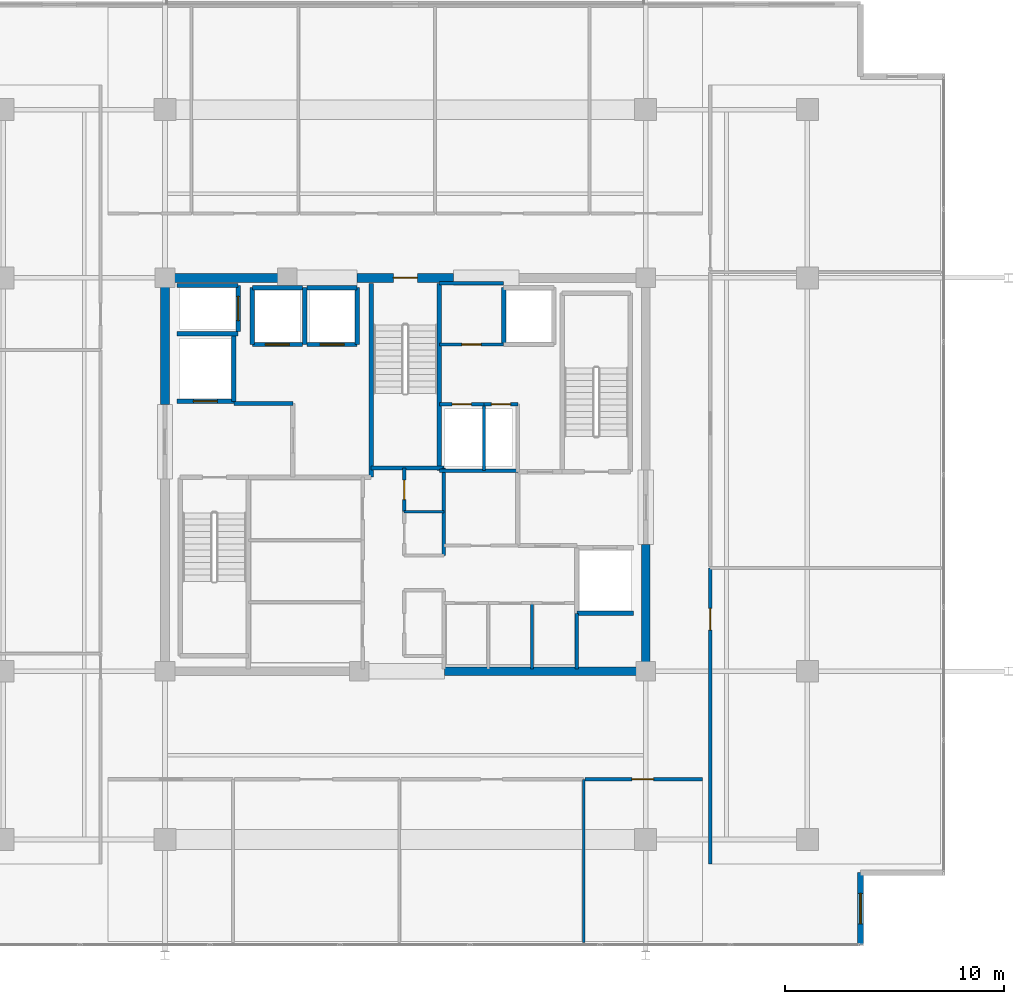
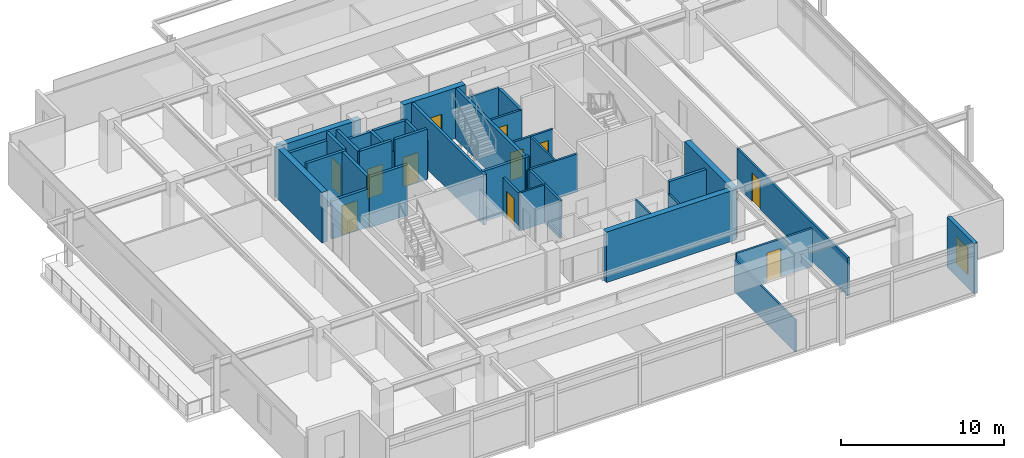
# One storey, part 14 of 20: 38 walls, 11 doors, 1 window, 12 openings.
"""IFC4 building model written with IfcOpenShell, lengths in metres."""

from ifc_helpers import new_model, si_unit, direction, frame, frame_2d, origin, place, context, subcontext, project, spatial, rectangle, extrude, material, layer, layer_set, type_object, element, fill, save


model = new_model("IFC4")

# Units and contexts
model_context = context("Model", 3, precision=1e-05, world=origin(), true_north=direction((0.0, 1.0)))
body_context = subcontext(model_context, "Body", "Model", "MODEL_VIEW")
ifc_project = project(units=[si_unit("LENGTHUNIT", "METRE"), si_unit("AREAUNIT", "SQUARE_METRE"), si_unit("VOLUMEUNIT", "CUBIC_METRE"), si_unit("PLANEANGLEUNIT", "RADIAN"), si_unit("MASSUNIT", "GRAM", prefix="KILO")], contexts=[model_context])

# Site, building, storey
site_placement = place(None, origin())
site = spatial("IfcSite", under=ifc_project, at=site_placement, CompositionType="ELEMENT")
building_placement = place(site_placement, origin())
building = spatial("IfcBuilding", under=site, at=building_placement, Name="Kovane Verandah Tower", CompositionType="ELEMENT")
storey_placement = place(building_placement, frame((0.0, 0.0, 330.800048828125)))
storey = spatial("IfcBuildingStorey", under=building, at=storey_placement, Name="L77", CompositionType="ELEMENT", Elevation=330.800048828125)

# Wall
ifc_material_1 = material(Name="Fire-Rated Gypsum Stud Partition", Category="gypsum")
ifc_layer_1 = layer(ifc_material_1, 0.14990234375)
ifc_layer_set_1 = layer_set([ifc_layer_1], Name="Fire-Rated Gypsum Stud Partition")
wall_type_1 = type_object("IfcWallType", Name="WL-COR-150", PredefinedType="PARTITIONING", material=ifc_layer_set_1)
wall_1_placement = place(storey_placement, frame((41.760009765625, 23.800048828125, 0.0), z_axis=(0.0, 0.0, 1.0), x_axis=(0.0, 1.0, 0.0)))
element("IfcWall", 1, at=wall_1_placement, inside=storey, type_object=wall_type_1, Name="L77 Central Core Strip Upper East Wall", PredefinedType="PARTITIONING", context=body_context, shape_type="SweptSolid", body=[
    extrude(rectangle(XDim=4.0, YDim=0.14990234375, at=frame_2d((2.0, 0.0))), origin(), (0.0, 0.0, 1.0), 2.849853515625),
])

# Wall, opening, door
wall_2_placement = place(storey_placement, frame((39.949951171875, 25.800048828125, 0.0), z_axis=(0.0, 0.0, 1.0), x_axis=(0.0, 1.0, 0.0)))
wall_2 = element("IfcWall", 2, at=wall_2_placement, inside=storey, type_object=wall_type_1, Name="L77 Accessible Unisex Toilet Partition", PredefinedType="PARTITIONING", context=body_context, shape_type="SweptSolid", body=[
    extrude(rectangle(XDim=2.0, YDim=0.14990234375, at=frame_2d((1.0, 0.0))), origin(), (0.0, 0.0, 1.0), 2.849853515625),
])
opening_1_placement = place(wall_2_placement, frame((0.550048828125, 0.0, 0.0)))
opening_1 = element("IfcOpeningElement", 3, at=opening_1_placement, cuts=wall_2, Name="Opening DR-L77-033", PredefinedType="OPENING", context=body_context, shape_type="SweptSolid", body=[
    extrude(rectangle(XDim=0.89990234375, YDim=2.10009765625, at=frame_2d((0.449951171875, 1.050048828125))), frame((0.0, 0.074951171875, 0.0), z_axis=(0.0, -1.0, 0.0), x_axis=(1.0, 0.0, 0.0)), (0.0, 0.0, 1.0), 0.14990234375),
])
ifc_material_2 = material(Name="Moisture-Resistant Laminate Washroom Door", Category="wood")
door_type_1 = type_object("IfcDoorType", Name="DR-WC-900", OperationType="SINGLE_SWING_LEFT", PredefinedType="DOOR", material=ifc_material_2)
door_1_placement = place(opening_1_placement, origin())
door_1 = element("IfcDoor", 4, at=door_1_placement, inside=storey, type_object=door_type_1, Name="L77 Accessible Unisex Toilet Door", OperationType="SINGLE_SWING_RIGHT", OverallHeight=2.10009765625, OverallWidth=0.89990234375, PredefinedType="DOOR", context=body_context, shape_type="SweptSolid", body=[
    extrude(rectangle(XDim=0.89990234375, YDim=2.10009765625, at=frame_2d((0.449951171875, 1.050048828125))), frame((0.0, 0.02490234375, 0.0), z_axis=(0.0, -1.0, 0.0), x_axis=(1.0, 0.0, 0.0)), (0.0, 0.0, 1.0), 0.050048828125),
])
fill(opening_1, door_1)

# Walls
wall_3_placement = place(storey_placement, frame((41.56005859375, 27.679931640625, 0.0), z_axis=(0.0, 0.0, 1.0), x_axis=(1.0, 0.0, 0.0)))
element("IfcWall", 5, at=wall_3_placement, inside=storey, type_object=wall_type_1, Name="L77 East Core Service Riser South Wall", PredefinedType="PARTITIONING", context=body_context, shape_type="SweptSolid", body=[
    extrude(rectangle(XDim=3.58984375, YDim=0.14990234375, at=frame_2d((1.794921875, 0.0))), origin(), (0.0, 0.0, 1.0), 2.849853515625),
])
wall_4_placement = place(storey_placement, frame((47.85009765625, 18.60009765625, 0.0), z_axis=(0.0, 0.0, 1.0), x_axis=(0.0, 1.0, 0.0)))
element("IfcWall", 6, at=wall_4_placement, inside=storey, type_object=wall_type_1, Name="L77 East Core Support East Wall", PredefinedType="PARTITIONING", context=body_context, shape_type="SweptSolid", body=[
    extrude(rectangle(XDim=2.539794921875, YDim=0.14990234375, at=frame_2d((1.27001953125, 0.0))), origin(), (0.0, 0.0, 1.0), 2.849853515625),
])

# Wall, opening, door
wall_5_placement = place(storey_placement, frame((41.56005859375, 30.719970703125, 0.0), z_axis=(0.0, 0.0, 1.0), x_axis=(1.0, 0.0, 0.0)))
wall_5 = element("IfcWall", 7, at=wall_5_placement, inside=storey, type_object=wall_type_1, Name="L77 Electrical Sub-Main Riser Room Partition", PredefinedType="PARTITIONING", context=body_context, shape_type="SweptSolid", body=[
    extrude(rectangle(XDim=2.0400390625, YDim=0.14990234375, at=frame_2d((1.02001953125, 0.0))), origin(), (0.0, 0.0, 1.0), 2.849853515625),
])
opening_2_placement = place(wall_5_placement, frame((0.580078125, 0.0, 0.0)))
opening_2 = element("IfcOpeningElement", 8, at=opening_2_placement, cuts=wall_5, Name="Opening DR-L77-022", PredefinedType="OPENING", context=body_context, shape_type="SweptSolid", body=[
    extrude(rectangle(XDim=0.8798828125, YDim=2.10009765625, at=frame_2d((0.43994140625, 1.050048828125))), frame((0.0, 0.074951171875, 0.0), z_axis=(0.0, -1.0, 0.0), x_axis=(1.0, 0.0, 0.0)), (0.0, 0.0, 1.0), 0.14990234375),
])
ifc_material_3 = material(Name="Fire-Rated Steel Riser Access Door", Category="steel")
door_type_2 = type_object("IfcDoorType", Name="DR-RISER-880", OperationType="SINGLE_SWING_LEFT", PredefinedType="DOOR", material=ifc_material_3)
door_2_placement = place(opening_2_placement, origin())
door_2 = element("IfcDoor", 9, at=door_2_placement, inside=storey, type_object=door_type_2, Name="L77 Electrical Sub-Main Riser Room Door", OperationType="SINGLE_SWING_RIGHT", OverallHeight=2.10009765625, OverallWidth=0.8798828125, PredefinedType="DOOR", context=body_context, shape_type="SweptSolid", body=[
    extrude(rectangle(XDim=0.8798828125, YDim=2.10009765625, at=frame_2d((0.43994140625, 1.050048828125))), frame((0.0, 0.02490234375, 0.0), z_axis=(0.0, -1.0, 0.0), x_axis=(1.0, 0.0, 0.0)), (0.0, 0.0, 1.0), 0.050048828125),
])
fill(opening_2, door_2)

wall_6_placement = place(storey_placement, frame((43.60009765625, 30.719970703125, 0.0), z_axis=(0.0, 0.0, 1.0), x_axis=(1.0, 0.0, 0.0)))
wall_6 = element("IfcWall", 10, at=wall_6_placement, inside=storey, type_object=wall_type_1, Name="L77 Sprinkler Wet Riser Room Partition", PredefinedType="PARTITIONING", context=body_context, shape_type="SweptSolid", body=[
    extrude(rectangle(XDim=1.5498046875, YDim=0.14990234375, at=frame_2d((0.77490234375, 0.0))), origin(), (0.0, 0.0, 1.0), 2.849853515625),
])
opening_3_placement = place(wall_6_placement, frame((0.3349609375, 0.0, 0.0)))
opening_3 = element("IfcOpeningElement", 11, at=opening_3_placement, cuts=wall_6, Name="Opening DR-L77-023", PredefinedType="OPENING", context=body_context, shape_type="SweptSolid", body=[
    extrude(rectangle(XDim=0.8798828125, YDim=2.10009765625, at=frame_2d((0.43994140625, 1.050048828125))), frame((0.0, 0.074951171875, 0.0), z_axis=(0.0, -1.0, 0.0), x_axis=(1.0, 0.0, 0.0)), (0.0, 0.0, 1.0), 0.14990234375),
])
door_3_placement = place(opening_3_placement, origin())
door_3 = element("IfcDoor", 12, at=door_3_placement, inside=storey, type_object=door_type_2, Name="L77 Sprinkler Wet Riser Room Door", OperationType="SINGLE_SWING_LEFT", OverallHeight=2.10009765625, OverallWidth=0.8798828125, PredefinedType="DOOR", context=body_context, shape_type="SweptSolid", body=[
    extrude(rectangle(XDim=0.8798828125, YDim=2.10009765625, at=frame_2d((0.43994140625, 1.050048828125))), frame((0.0, 0.02490234375, 0.0), z_axis=(0.0, -1.0, 0.0), x_axis=(1.0, 0.0, 0.0)), (0.0, 0.0, 1.0), 0.050048828125),
])
fill(opening_3, door_3)

# Wall
wall_7_placement = place(storey_placement, frame((41.56005859375, 36.25, 0.0), z_axis=(0.0, 0.0, 1.0), x_axis=(1.0, 0.0, 0.0)))
element("IfcWall", 13, at=wall_7_placement, inside=storey, type_object=wall_type_1, Name="L77 Sky Telecom Riser North Wall", PredefinedType="PARTITIONING", context=body_context, shape_type="SweptSolid", body=[
    extrude(rectangle(XDim=2.93994140625, YDim=0.14990234375, at=frame_2d((1.469970703125, 0.0))), origin(), (0.0, 0.0, 1.0), 2.849853515625),
])

# Wall, opening, door
wall_8_placement = place(storey_placement, frame((41.56005859375, 33.449951171875, 0.0), z_axis=(0.0, 0.0, 1.0), x_axis=(1.0, 0.0, 0.0)))
wall_8 = element("IfcWall", 14, at=wall_8_placement, inside=storey, type_object=wall_type_1, Name="L77 Sky Telecom Riser Room Partition", PredefinedType="PARTITIONING", context=body_context, shape_type="SweptSolid", body=[
    extrude(rectangle(XDim=2.93994140625, YDim=0.14990234375, at=frame_2d((1.469970703125, 0.0))), origin(), (0.0, 0.0, 1.0), 2.849853515625),
])
opening_4_placement = place(wall_8_placement, frame((1.030029296875, 0.0, 0.0)))
opening_4 = element("IfcOpeningElement", 15, at=opening_4_placement, cuts=wall_8, Name="Opening DR-L77-021", PredefinedType="OPENING", context=body_context, shape_type="SweptSolid", body=[
    extrude(rectangle(XDim=0.8798828125, YDim=2.10009765625, at=frame_2d((0.43994140625, 1.050048828125))), frame((0.0, 0.074951171875, 0.0), z_axis=(0.0, -1.0, 0.0), x_axis=(1.0, 0.0, 0.0)), (0.0, 0.0, 1.0), 0.14990234375),
])
door_4_placement = place(opening_4_placement, origin())
door_4 = element("IfcDoor", 16, at=door_4_placement, inside=storey, type_object=door_type_2, Name="L77 Sky Telecom Riser Room Door", OperationType="SINGLE_SWING_RIGHT", OverallHeight=2.10009765625, OverallWidth=0.8798828125, PredefinedType="DOOR", context=body_context, shape_type="SweptSolid", body=[
    extrude(rectangle(XDim=0.8798828125, YDim=2.10009765625, at=frame_2d((0.43994140625, 1.050048828125))), frame((0.0, 0.02490234375, 0.0), z_axis=(0.0, -1.0, 0.0), x_axis=(1.0, 0.0, 0.0)), (0.0, 0.0, 1.0), 0.050048828125),
])
fill(opening_4, door_4)

wall_9_placement = place(storey_placement, frame((48.22998046875, 13.550048828125, 0.0), z_axis=(0.0, 0.0, 1.0), x_axis=(1.0, 0.0, 0.0)))
wall_9 = element("IfcWall", 17, at=wall_9_placement, inside=storey, type_object=wall_type_1, Name="L77 Focus Studio S4 Corridor Partition", PredefinedType="PARTITIONING", context=body_context, shape_type="SweptSolid", body=[
    extrude(rectangle(XDim=5.3701171875, YDim=0.14990234375, at=frame_2d((2.68505859375, 0.0))), origin(), (0.0, 0.0, 1.0), 2.849853515625),
])
opening_5_placement = place(wall_9_placement, frame((2.135009765625, 0.0, 0.0)))
opening_5 = element("IfcOpeningElement", 18, at=opening_5_placement, cuts=wall_9, Name="Opening DR-L77-032", PredefinedType="OPENING", context=body_context, shape_type="SweptSolid", body=[
    extrude(rectangle(XDim=1.0, YDim=2.14990234375, at=frame_2d((0.5, 1.074951171875))), frame((0.0, 0.074951171875, 0.0), z_axis=(0.0, -1.0, 0.0), x_axis=(1.0, 0.0, 0.0)), (0.0, 0.0, 1.0), 0.14990234375),
])
ifc_material_4 = material(Name="FSC Spotted-Gum Timber Fire-Rated Office Door", Category="wood")
door_type_3 = type_object("IfcDoorType", Name="DR-OFF-1000", OperationType="SINGLE_SWING_LEFT", PredefinedType="DOOR", material=ifc_material_4)
door_5_placement = place(opening_5_placement, origin())
door_5 = element("IfcDoor", 19, at=door_5_placement, inside=storey, type_object=door_type_3, Name="L77 Focus Studio S4 Entrance Door", OperationType="SINGLE_SWING_LEFT", OverallHeight=2.14990234375, OverallWidth=1.0, PredefinedType="DOOR", context=body_context, shape_type="SweptSolid", body=[
    extrude(rectangle(XDim=1.0, YDim=2.14990234375, at=frame_2d((0.5, 1.074951171875))), frame((0.0, 0.02490234375, 0.0), z_axis=(0.0, -1.0, 0.0), x_axis=(1.0, 0.0, 0.0)), (0.0, 0.0, 1.0), 0.050048828125),
])
fill(opening_5, door_5)

wall_10_placement = place(storey_placement, frame((53.949951171875, 9.681884765625, 0.0), z_axis=(0.0, 0.0, 1.0), x_axis=(0.0, 1.0, 0.0)))
wall_10 = element("IfcWall", 20, at=wall_10_placement, inside=storey, type_object=wall_type_1, Name="L77 Open Plan Office E1 Corridor Partition", PredefinedType="PARTITIONING", context=body_context, shape_type="SweptSolid", body=[
    extrude(rectangle(XDim=13.541748046875, YDim=0.14990234375, at=frame_2d((6.77099609375, 0.0))), origin(), (0.0, 0.0, 1.0), 2.849853515625),
])
opening_6_placement = place(wall_10_placement, frame((10.695068359375, 0.0, 0.0)))
opening_6 = element("IfcOpeningElement", 21, at=opening_6_placement, cuts=wall_10, Name="Opening DR-L77-011", PredefinedType="OPENING", context=body_context, shape_type="SweptSolid", body=[
    extrude(rectangle(XDim=1.0, YDim=2.14990234375, at=frame_2d((0.5, 1.074951171875))), frame((0.0, 0.074951171875, 0.0), z_axis=(0.0, -1.0, 0.0), x_axis=(1.0, 0.0, 0.0)), (0.0, 0.0, 1.0), 0.14990234375),
])
door_6_placement = place(opening_6_placement, origin())
door_6 = element("IfcDoor", 22, at=door_6_placement, inside=storey, type_object=door_type_3, Name="L77 Open Plan Office E1 Entrance Door", OperationType="SINGLE_SWING_LEFT", OverallHeight=2.14990234375, OverallWidth=1.0, PredefinedType="DOOR", context=body_context, shape_type="SweptSolid", body=[
    extrude(rectangle(XDim=1.0, YDim=2.14990234375, at=frame_2d((0.5, 1.074951171875))), frame((0.0, 0.02490234375, 0.0), z_axis=(0.0, -1.0, 0.0), x_axis=(1.0, 0.0, 0.0)), (0.0, 0.0, 1.0), 0.050048828125),
])
fill(opening_6, door_6)

# Walls
ifc_material_5 = material(Name="Concrete C60/75", Category="concrete")
ifc_layer_2 = layer(ifc_material_5, 0.39990234375)
ifc_layer_set_2 = layer_set([ifc_layer_2], Name="Concrete C60/75")
wall_type_2 = type_object("IfcWallType", Name="WL-CORE-400", PredefinedType="SHEAR", material=ifc_layer_set_2)
wall_11_placement = place(storey_placement, frame((41.800048828125, 18.5, 0.0), z_axis=(0.0, 0.0, 1.0), x_axis=(1.0, 0.0, 0.0)))
element("IfcWall", 23, at=wall_11_placement, inside=storey, type_object=wall_type_2, Name="L77 Core Shear Wall CS-2", PredefinedType="SHEAR", context=body_context, shape_type="SweptSolid", body=[
    extrude(rectangle(XDim=9.199951171875, YDim=0.39990234375, at=frame_2d((4.60009765625, 0.0))), origin(), (0.0, 0.0, 1.0), 3.784912109375),
])
wall_12_placement = place(storey_placement, frame((29.0, 36.5, 0.0), z_axis=(0.0, 0.0, 1.0), x_axis=(1.0, 0.0, 0.0)))
element("IfcWall", 24, at=wall_12_placement, inside=storey, type_object=wall_type_2, Name="L77 Core Shear Wall CN-1", PredefinedType="SHEAR", context=body_context, shape_type="SweptSolid", body=[
    extrude(rectangle(XDim=5.800048828125, YDim=0.39990234375, at=frame_2d((2.89990234375, 0.0))), origin(), (0.0, 0.0, 1.0), 3.784912109375),
])

# Wall, opening, door
wall_13_placement = place(storey_placement, frame((37.800048828125, 36.5, 0.0), z_axis=(0.0, 0.0, 1.0), x_axis=(1.0, 0.0, 0.0)))
wall_13 = element("IfcWall", 25, at=wall_13_placement, inside=storey, type_object=wall_type_2, Name="L77 Core Shear Wall CN-2", PredefinedType="SHEAR", context=body_context, shape_type="SweptSolid", body=[
    extrude(rectangle(XDim=4.39990234375, YDim=0.39990234375, at=frame_2d((2.199951171875, 0.0))), origin(), (0.0, 0.0, 1.0), 3.784912109375),
])
opening_7_placement = place(wall_13_placement, frame((1.64990234375, 0.0, 0.0)))
opening_7 = element("IfcOpeningElement", 26, at=opening_7_placement, cuts=wall_13, Name="Opening DR-L77-010", PredefinedType="OPENING", context=body_context, shape_type="SweptSolid", body=[
    extrude(rectangle(XDim=1.10009765625, YDim=2.14990234375, at=frame_2d((0.550048828125, 1.074951171875))), frame((0.0, 0.199951171875, 0.0), z_axis=(0.0, -1.0, 0.0), x_axis=(1.0, 0.0, 0.0)), (0.0, 0.0, 1.0), 0.39990234375),
])
ifc_material_6 = material(Name="Fire-Rated Steel Exit Door", Category="steel")
door_type_4 = type_object("IfcDoorType", Name="DR-STAIR-1100", OperationType="SINGLE_SWING_LEFT", PredefinedType="DOOR", material=ifc_material_6)
door_7_placement = place(opening_7_placement, origin())
door_7 = element("IfcDoor", 27, at=door_7_placement, inside=storey, type_object=door_type_4, Name="L77 ST-03 Fire Exit Stair Door", OperationType="SINGLE_SWING_LEFT", OverallHeight=2.14990234375, OverallWidth=1.10009765625, PredefinedType="DOOR", context=body_context, shape_type="SweptSolid", body=[
    extrude(rectangle(XDim=1.10009765625, YDim=2.14990234375, at=frame_2d((0.550048828125, 1.074951171875))), frame((0.0, 0.02490234375, 0.0), z_axis=(0.0, -1.0, 0.0), x_axis=(1.0, 0.0, 0.0)), (0.0, 0.0, 1.0), 0.050048828125),
])
fill(opening_7, door_7)

# Walls
for number, where, z_axis, x_axis, name in (
    (28, (29.0, 30.699951171875, 0.0), (0.0, 0.0, 1.0), (0.0, 1.0, 0.0), "L77 Core Shear Wall CW-2"),
    (29, (51.0, 18.5, 0.0), (0.0, 0.0, 1.0), (0.0, 1.0, 0.0), "L77 Core Shear Wall CE-1"),
):
    element("IfcWall", number, at=place(storey_placement, frame(where, z_axis=z_axis, x_axis=x_axis)), inside=storey, type_object=wall_type_2, Name=name, PredefinedType="SHEAR", context=body_context, shape_type="SweptSolid", body=[
        extrude(rectangle(XDim=5.800048828125, YDim=0.39990234375, at=frame_2d((2.89990234375, 0.0))), origin(), (0.0, 0.0, 1.0), 3.784912109375),
    ])
ifc_material_7 = material(Name="Concrete C45/55 Fire Wall", Category="concrete")
ifc_layer_3 = layer(ifc_material_7, 0.199951171875)
ifc_layer_set_3 = layer_set([ifc_layer_3], Name="Concrete C45/55 Fire Wall")
wall_type_3 = type_object("IfcWallType", Name="WL-FFL-200", PredefinedType="PARTITIONING", material=ifc_layer_set_3)
wall_14_placement = place(storey_placement, frame((32.14990234375, 30.75, 0.0), z_axis=(0.0, 0.0, 1.0), x_axis=(1.0, 0.0, 0.0)))
element("IfcWall", 30, at=wall_14_placement, inside=storey, type_object=wall_type_3, Name="L77 West Firefighting Lobby North Fire Wall", PredefinedType="PARTITIONING", context=body_context, shape_type="SweptSolid", body=[
    extrude(rectangle(XDim=2.7001953125, YDim=0.199951171875, at=frame_2d((1.35009765625, 0.0))), origin(), (0.0, 0.0, 1.0), 3.784912109375),
])

# Wall, opening, door
ifc_material_8 = material(Name="Concrete C45/55 Lift Shaft Wall", Category="concrete")
ifc_layer_4 = layer(ifc_material_8, 0.199951171875)
ifc_layer_set_4 = layer_set([ifc_layer_4], Name="Concrete C45/55 Lift Shaft Wall")
wall_type_4 = type_object("IfcWallType", Name="WL-LIFT-200", PredefinedType="SOLIDWALL", material=ifc_layer_set_4)
wall_15_placement = place(storey_placement, frame((29.550048828125, 30.85009765625, 0.0), z_axis=(0.0, 0.0, 1.0), x_axis=(1.0, 0.0, 0.0)))
wall_15 = element("IfcWall", 31, at=wall_15_placement, inside=storey, type_object=wall_type_4, Name="L77 Lift FL-01 S Shaft Wall", PredefinedType="SOLIDWALL", context=body_context, shape_type="SweptSolid", body=[
    extrude(rectangle(XDim=2.599853515625, YDim=0.199951171875, at=frame_2d((1.2998046875, 0.0))), origin(), (0.0, 0.0, 1.0), 2.864990234375),
])
opening_8_placement = place(wall_15_placement, frame((0.75, 0.0, 0.0)))
opening_8 = element("IfcOpeningElement", 32, at=opening_8_placement, cuts=wall_15, Name="Opening LD-L77-001", PredefinedType="OPENING", context=body_context, shape_type="SweptSolid", body=[
    extrude(rectangle(XDim=1.10009765625, YDim=2.199951171875, at=frame_2d((0.550048828125, 1.10009765625))), frame((0.0, 0.10009765625, 0.0), z_axis=(0.0, -1.0, 0.0), x_axis=(1.0, 0.0, 0.0)), (0.0, 0.0, 1.0), 0.199951171875),
])
ifc_material_9 = material(Name="Brushed Stainless Steel Sliding Lift Landing Door", Category="steel")
door_type_5 = type_object("IfcDoorType", Name="DR-LIFT-1100", OperationType="SLIDING_TO_RIGHT", PredefinedType="DOOR", material=ifc_material_9)
door_8_placement = place(opening_8_placement, origin())
door_8 = element("IfcDoor", 33, at=door_8_placement, inside=storey, type_object=door_type_5, Name="L77 Lift FL-01 Sliding Landing Door", OperationType="SLIDING_TO_RIGHT", OverallHeight=2.199951171875, OverallWidth=1.10009765625, PredefinedType="DOOR", context=body_context, shape_type="SweptSolid", body=[
    extrude(rectangle(XDim=1.10009765625, YDim=2.199951171875, at=frame_2d((0.550048828125, 1.10009765625))), frame((0.0, 0.02490234375, 0.0), z_axis=(0.0, -1.0, 0.0), x_axis=(1.0, 0.0, 0.0)), (0.0, 0.0, 1.0), 0.050048828125),
])
fill(opening_8, door_8)

# Walls
wall_16_placement = place(storey_placement, frame((29.550048828125, 33.949951171875, 0.0), z_axis=(0.0, 0.0, 1.0), x_axis=(1.0, 0.0, 0.0)))
element("IfcWall", 34, at=wall_16_placement, inside=storey, type_object=wall_type_4, Name="L77 Lift FL-01 and GL-01 Shared Shaft Wall", PredefinedType="SOLIDWALL", context=body_context, shape_type="SweptSolid", body=[
    extrude(rectangle(XDim=2.800048828125, YDim=0.199951171875, at=frame_2d((1.39990234375, 0.0))), origin(), (0.0, 0.0, 1.0), 3.784912109375),
])
wall_17_placement = place(storey_placement, frame((32.14990234375, 30.85009765625, 0.0), z_axis=(0.0, 0.0, 1.0), x_axis=(0.0, 1.0, 0.0)))
element("IfcWall", 35, at=wall_17_placement, inside=storey, type_object=wall_type_4, Name="L77 Lift FL-01 E Shaft Wall", PredefinedType="SOLIDWALL", context=body_context, shape_type="SweptSolid", body=[
    extrude(rectangle(XDim=3.0, YDim=0.199951171875, at=frame_2d((1.5, 0.0))), origin(), (0.0, 0.0, 1.0), 3.784912109375),
])
wall_18_placement = place(storey_placement, frame((47.85009765625, 21.14990234375, 0.0), z_axis=(0.0, 0.0, 1.0), x_axis=(1.0, 0.0, 0.0)))
element("IfcWall", 36, at=wall_18_placement, inside=storey, type_object=wall_type_4, Name="L77 Lift FL-02 S Shaft Wall", PredefinedType="SOLIDWALL", context=body_context, shape_type="SweptSolid", body=[
    extrude(rectangle(XDim=2.599853515625, YDim=0.199951171875, at=frame_2d((1.2998046875, 0.0))), origin(), (0.0, 0.0, 1.0), 3.784912109375),
])
wall_19_placement = place(storey_placement, frame((32.35009765625, 36.14990234375, 0.0), z_axis=(0.0, 0.0, 1.0), x_axis=(-1.0, 0.0, 0.0)))
element("IfcWall", 37, at=wall_19_placement, inside=storey, type_object=wall_type_4, Name="L77 Lift GL-01 N Shaft Wall", PredefinedType="SOLIDWALL", context=body_context, shape_type="SweptSolid", body=[
    extrude(rectangle(XDim=2.800048828125, YDim=0.199951171875, at=frame_2d((1.39990234375, 0.0))), origin(), (0.0, 0.0, 1.0), 3.220458984375),
])

# Wall, opening, door
wall_20_placement = place(storey_placement, frame((32.35009765625, 34.050048828125, 0.0), z_axis=(0.0, 0.0, 1.0), x_axis=(0.0, 1.0, 0.0)))
wall_20 = element("IfcWall", 38, at=wall_20_placement, inside=storey, type_object=wall_type_4, Name="L77 Lift GL-01 E Shaft Wall", PredefinedType="SOLIDWALL", context=body_context, shape_type="SweptSolid", body=[
    extrude(rectangle(XDim=2.099853515625, YDim=0.199951171875, at=frame_2d((1.0498046875, 0.0))), origin(), (0.0, 0.0, 1.0), 3.784912109375),
])
opening_9_placement = place(wall_20_placement, frame((0.5, 0.0, 0.0)))
opening_9 = element("IfcOpeningElement", 39, at=opening_9_placement, cuts=wall_20, Name="Opening LD-L77-003", PredefinedType="OPENING", context=body_context, shape_type="SweptSolid", body=[
    extrude(rectangle(XDim=1.10009765625, YDim=2.199951171875, at=frame_2d((0.550048828125, 1.10009765625))), frame((0.0, 0.10009765625, 0.0), z_axis=(0.0, -1.0, 0.0), x_axis=(1.0, 0.0, 0.0)), (0.0, 0.0, 1.0), 0.199951171875),
])
door_9_placement = place(opening_9_placement, origin())
door_9 = element("IfcDoor", 40, at=door_9_placement, inside=storey, type_object=door_type_5, Name="L77 Lift GL-01 Sliding Landing Door", OperationType="SLIDING_TO_RIGHT", OverallHeight=2.199951171875, OverallWidth=1.10009765625, PredefinedType="DOOR", context=body_context, shape_type="SweptSolid", body=[
    extrude(rectangle(XDim=1.10009765625, YDim=2.199951171875, at=frame_2d((0.550048828125, 1.10009765625))), frame((0.0, 0.02490234375, 0.0), z_axis=(0.0, -1.0, 0.0), x_axis=(1.0, 0.0, 0.0)), (0.0, 0.0, 1.0), 0.050048828125),
])
fill(opening_9, door_9)

wall_21_placement = place(storey_placement, frame((33.0, 33.449951171875, 0.0), z_axis=(0.0, 0.0, 1.0), x_axis=(1.0, 0.0, 0.0)))
wall_21 = element("IfcWall", 41, at=wall_21_placement, inside=storey, type_object=wall_type_4, Name="L77 Lift PL-H1 S Shaft Wall", PredefinedType="SOLIDWALL", context=body_context, shape_type="SweptSolid", body=[
    extrude(rectangle(XDim=2.300048828125, YDim=0.199951171875, at=frame_2d((1.14990234375, 0.0))), origin(), (0.0, 0.0, 1.0), 3.784912109375),
])
opening_10_placement = place(wall_21_placement, frame((0.60009765625, 0.0, 0.0)))
opening_10 = element("IfcOpeningElement", 42, at=opening_10_placement, cuts=wall_21, Name="Opening LD-L77-004", PredefinedType="OPENING", context=body_context, shape_type="SweptSolid", body=[
    extrude(rectangle(XDim=1.10009765625, YDim=2.199951171875, at=frame_2d((0.550048828125, 1.10009765625))), frame((0.0, 0.10009765625, 0.0), z_axis=(0.0, -1.0, 0.0), x_axis=(1.0, 0.0, 0.0)), (0.0, 0.0, 1.0), 0.199951171875),
])
door_10_placement = place(opening_10_placement, origin())
door_10 = element("IfcDoor", 43, at=door_10_placement, inside=storey, type_object=door_type_5, Name="L77 Lift PL-H1 Sliding Landing Door", OperationType="SLIDING_TO_RIGHT", OverallHeight=2.199951171875, OverallWidth=1.10009765625, PredefinedType="DOOR", context=body_context, shape_type="SweptSolid", body=[
    extrude(rectangle(XDim=1.10009765625, YDim=2.199951171875, at=frame_2d((0.550048828125, 1.10009765625))), frame((0.0, 0.02490234375, 0.0), z_axis=(0.0, -1.0, 0.0), x_axis=(1.0, 0.0, 0.0)), (0.0, 0.0, 1.0), 0.050048828125),
])
fill(opening_10, door_10)

# Walls
wall_22_placement = place(storey_placement, frame((35.300048828125, 36.050048828125, 0.0), z_axis=(0.0, 0.0, 1.0), x_axis=(-1.0, 0.0, 0.0)))
element("IfcWall", 44, at=wall_22_placement, inside=storey, type_object=wall_type_4, Name="L77 Lift PL-H1 N Shaft Wall", PredefinedType="SOLIDWALL", context=body_context, shape_type="SweptSolid", body=[
    extrude(rectangle(XDim=2.300048828125, YDim=0.199951171875, at=frame_2d((1.14990234375, 0.0))), origin(), (0.0, 0.0, 1.0), 2.864990234375),
])
wall_23_placement = place(storey_placement, frame((33.0, 36.050048828125, 0.0), z_axis=(0.0, 0.0, 1.0), x_axis=(0.0, -1.0, 0.0)))
element("IfcWall", 45, at=wall_23_placement, inside=storey, type_object=wall_type_4, Name="L77 Lift PL-H1 W Shaft Wall", PredefinedType="SOLIDWALL", context=body_context, shape_type="SweptSolid", body=[
    extrude(rectangle(XDim=2.60009765625, YDim=0.199951171875, at=frame_2d((1.300048828125, 0.0))), origin(), (0.0, 0.0, 1.0), 3.784912109375),
])
wall_24_placement = place(storey_placement, frame((35.39990234375, 33.449951171875, 0.0), z_axis=(0.0, 0.0, 1.0), x_axis=(0.0, 1.0, 0.0)))
element("IfcWall", 46, at=wall_24_placement, inside=storey, type_object=wall_type_4, Name="L77 Lift PL-H1 and PL-H2 Shared Shaft Wall", PredefinedType="SOLIDWALL", context=body_context, shape_type="SweptSolid", body=[
    extrude(rectangle(XDim=2.60009765625, YDim=0.199951171875, at=frame_2d((1.300048828125, 0.0))), origin(), (0.0, 0.0, 1.0), 2.864990234375),
])

# Wall, opening, door
wall_25_placement = place(storey_placement, frame((35.5, 33.449951171875, 0.0), z_axis=(0.0, 0.0, 1.0), x_axis=(1.0, 0.0, 0.0)))
wall_25 = element("IfcWall", 47, at=wall_25_placement, inside=storey, type_object=wall_type_4, Name="L77 Lift PL-H2 S Shaft Wall", PredefinedType="SOLIDWALL", context=body_context, shape_type="SweptSolid", body=[
    extrude(rectangle(XDim=2.300048828125, YDim=0.199951171875, at=frame_2d((1.14990234375, 0.0))), origin(), (0.0, 0.0, 1.0), 3.784912109375),
])
opening_11_placement = place(wall_25_placement, frame((0.60009765625, 0.0, 0.0)))
opening_11 = element("IfcOpeningElement", 48, at=opening_11_placement, cuts=wall_25, Name="Opening LD-L77-005", PredefinedType="OPENING", context=body_context, shape_type="SweptSolid", body=[
    extrude(rectangle(XDim=1.10009765625, YDim=2.199951171875, at=frame_2d((0.550048828125, 1.10009765625))), frame((0.0, 0.10009765625, 0.0), z_axis=(0.0, -1.0, 0.0), x_axis=(1.0, 0.0, 0.0)), (0.0, 0.0, 1.0), 0.199951171875),
])
door_11_placement = place(opening_11_placement, origin())
door_11 = element("IfcDoor", 49, at=door_11_placement, inside=storey, type_object=door_type_5, Name="L77 Lift PL-H2 Sliding Landing Door", OperationType="SLIDING_TO_RIGHT", OverallHeight=2.199951171875, OverallWidth=1.10009765625, PredefinedType="DOOR", context=body_context, shape_type="SweptSolid", body=[
    extrude(rectangle(XDim=1.10009765625, YDim=2.199951171875, at=frame_2d((0.550048828125, 1.10009765625))), frame((0.0, 0.02490234375, 0.0), z_axis=(0.0, -1.0, 0.0), x_axis=(1.0, 0.0, 0.0)), (0.0, 0.0, 1.0), 0.050048828125),
])
fill(opening_11, door_11)

# Walls
wall_26_placement = place(storey_placement, frame((37.800048828125, 36.050048828125, 0.0), z_axis=(0.0, 0.0, 1.0), x_axis=(-1.0, 0.0, 0.0)))
element("IfcWall", 50, at=wall_26_placement, inside=storey, type_object=wall_type_4, Name="L77 Lift PL-H2 N Shaft Wall", PredefinedType="SOLIDWALL", context=body_context, shape_type="SweptSolid", body=[
    extrude(rectangle(XDim=2.300048828125, YDim=0.199951171875, at=frame_2d((1.14990234375, 0.0))), origin(), (0.0, 0.0, 1.0), 2.864990234375),
])
for number, where, z_axis, x_axis, name in (
    (51, (37.800048828125, 33.449951171875, 0.0), (0.0, 0.0, 1.0), (0.0, 1.0, 0.0), "L77 Lift PL-H2 E Shaft Wall"),
    (52, (44.5, 36.050048828125, 0.0), (0.0, 0.0, 1.0), (0.0, -1.0, 0.0), "L77 Lift OL-01 W Shaft Wall"),
):
    element("IfcWall", number, at=place(storey_placement, frame(where, z_axis=z_axis, x_axis=x_axis)), inside=storey, type_object=wall_type_4, Name=name, PredefinedType="SOLIDWALL", context=body_context, shape_type="SweptSolid", body=[
        extrude(rectangle(XDim=2.60009765625, YDim=0.199951171875, at=frame_2d((1.300048828125, 0.0))), origin(), (0.0, 0.0, 1.0), 2.864990234375),
    ])
ifc_material_10 = material(Name="Acoustic Fire-Rated Gypsum Partition", Category="gypsum")
ifc_layer_5 = layer(ifc_material_10, 0.1201171875)
ifc_layer_set_5 = layer_set([ifc_layer_5], Name="Acoustic Fire-Rated Gypsum Partition")
wall_type_5 = type_object("IfcWallType", Name="WL-PART-120", PredefinedType="PARTITIONING", material=ifc_layer_set_5)
wall_27_placement = place(storey_placement, frame((39.949951171875, 25.800048828125, 0.0), z_axis=(0.0, 0.0, 1.0), x_axis=(1.0, 0.0, 0.0)))
element("IfcWall", 53, at=wall_27_placement, inside=storey, type_object=wall_type_5, Name="L77 Central Core Strip Upper Dividing Partition", PredefinedType="PARTITIONING", context=body_context, shape_type="SweptSolid", body=[
    extrude(rectangle(XDim=1.81005859375, YDim=0.1201171875, at=frame_2d((0.905029296875, 0.0))), origin(), (0.0, 0.0, 1.0), 2.849853515625),
])
wall_28_placement = place(storey_placement, frame((45.800048828125, 18.60009765625, 0.0), z_axis=(0.0, 0.0, 1.0), x_axis=(0.0, 1.0, 0.0)))
element("IfcWall", 54, at=wall_28_placement, inside=storey, type_object=wall_type_5, Name="L77 East Core Support Dividing Partition 2", PredefinedType="PARTITIONING", context=body_context, shape_type="SweptSolid", body=[
    extrude(rectangle(XDim=3.02001953125, YDim=0.1201171875, at=frame_2d((1.510009765625, 0.0))), origin(), (0.0, 0.0, 1.0), 2.849853515625),
])
wall_29_placement = place(storey_placement, frame((43.60009765625, 27.679931640625, 0.0), z_axis=(0.0, 0.0, 1.0), x_axis=(0.0, 1.0, 0.0)))
element("IfcWall", 55, at=wall_29_placement, inside=storey, type_object=wall_type_5, Name="L77 Service Riser Dividing Partition", PredefinedType="PARTITIONING", context=body_context, shape_type="SweptSolid", body=[
    extrude(rectangle(XDim=3.0400390625, YDim=0.1201171875, at=frame_2d((1.52001953125, 0.0))), origin(), (0.0, 0.0, 1.0), 2.849853515625),
])
wall_30_placement = place(storey_placement, frame((48.159912109375, 6.081787109375, 0.0), z_axis=(0.0, 0.0, 1.0), x_axis=(0.0, 1.0, 0.0)))
element("IfcWall", 56, at=wall_30_placement, inside=storey, type_object=wall_type_5, Name="L77 Meeting Room S3 Dividing Partition", PredefinedType="PARTITIONING", context=body_context, shape_type="SweptSolid", body=[
    extrude(rectangle(XDim=7.46826171875, YDim=0.1201171875, at=frame_2d((3.734130859375, 0.0))), origin(), (0.0, 0.0, 1.0), 2.4150390625),
])
ifc_material_11 = material(Name="Concrete C45/55", Category="concrete")
ifc_layer_6 = layer(ifc_material_11, 0.199951171875)
ifc_layer_set_6 = layer_set([ifc_layer_6], Name="Concrete C45/55")
wall_type_6 = type_object("IfcWallType", Name="WL-SHAFT-200", PredefinedType="SOLIDWALL", material=ifc_layer_set_6)
wall_31_placement = place(storey_placement, frame((38.43994140625, 27.3798828125, 0.0), z_axis=(0.0, 0.0, 1.0), x_axis=(0.0, 1.0, 0.0)))
element("IfcWall", 57, at=wall_31_placement, inside=storey, type_object=wall_type_6, Name="W-L77-ST03-W", PredefinedType="SOLIDWALL", context=body_context, shape_type="SweptSolid", body=[
    extrude(rectangle(XDim=8.8701171875, YDim=0.199951171875, at=frame_2d((4.43505859375, 0.0))), origin(), (0.0, 0.0, 1.0), 3.784912109375),
])
wall_32_placement = place(storey_placement, frame((41.56005859375, 27.679931640625, 0.0), z_axis=(0.0, 0.0, 1.0), x_axis=(0.0, 1.0, 0.0)))
element("IfcWall", 58, at=wall_32_placement, inside=storey, type_object=wall_type_6, Name="W-L77-ST03-E", PredefinedType="SOLIDWALL", context=body_context, shape_type="SweptSolid", body=[
    extrude(rectangle(XDim=8.570068359375, YDim=0.199951171875, at=frame_2d((4.28515625, 0.0))), origin(), (0.0, 0.0, 1.0), 3.784912109375),
])
wall_33_placement = place(storey_placement, frame((38.43994140625, 27.800048828125, 0.0), z_axis=(0.0, 0.0, 1.0), x_axis=(1.0, 0.0, 0.0)))
element("IfcWall", 59, at=wall_33_placement, inside=storey, type_object=wall_type_6, Name="W-L77-ST03-S", PredefinedType="SOLIDWALL", context=body_context, shape_type="SweptSolid", body=[
    extrude(rectangle(XDim=3.320068359375, YDim=0.199951171875, at=frame_2d((1.66015625, 0.0))), origin(), (0.0, 0.0, 1.0), 3.784912109375),
])

# Wall, opening, window
ifc_material_12 = material(Name="Concrete C45/55 Insulated Spandrel Wall", Category="concrete")
ifc_layer_7 = layer(ifc_material_12, 0.260009765625)
ifc_layer_set_7 = layer_set([ifc_layer_7], Name="Concrete C45/55 Insulated Spandrel Wall")
wall_type_7 = type_object("IfcWallType", Name="WL-SPANDREL-260", PredefinedType="PARAPET", material=ifc_layer_set_7)
wall_34_placement = place(storey_placement, frame((60.83642578125, 5.981689453125, 0.0), z_axis=(0.0, 0.0, 1.0), x_axis=(0.0, 1.0, 0.0)))
wall_34 = element("IfcWall", 60, at=wall_34_placement, inside=storey, type_object=wall_type_7, Name="L77 SE Notch Cheek Wall 1", PredefinedType="PARAPET", context=body_context, shape_type="SweptSolid", body=[
    extrude(rectangle(XDim=3.300048828125, YDim=0.260009765625, at=frame_2d((1.64990234375, 0.0))), origin(), (0.0, 0.0, 1.0), 3.784912109375),
])
opening_12_placement = place(wall_34_placement, frame((0.949951171875, 0.0, 0.85009765625)))
opening_12 = element("IfcOpeningElement", 61, at=opening_12_placement, cuts=wall_34, Name="Opening W-01", PredefinedType="OPENING", context=body_context, shape_type="SweptSolid", body=[
    extrude(rectangle(XDim=1.39990234375, YDim=2.0, at=frame_2d((0.699951171875, 1.0))), frame((0.0, 0.1298828125, 0.0), z_axis=(0.0, -1.0, 0.0), x_axis=(1.0, 0.0, 0.0)), (0.0, 0.0, 1.0), 0.260009765625),
])
ifc_material_13 = material(Name="Clear Low-E Laminated Double Glazing in Anodised Frame", Category="glass")
window_type = type_object("IfcWindowType", Name="WN-OPER-1400x2000", PartitioningType="SINGLE_PANEL", PredefinedType="WINDOW", material=ifc_material_13)
window_placement = place(opening_12_placement, origin())
window = element("IfcWindow", 62, at=window_placement, inside=storey, type_object=window_type, Name="L77 SE Re-Entrant Corner Operable Window", OverallHeight=2.0, OverallWidth=1.39990234375, PartitioningType="SINGLE_PANEL", PredefinedType="WINDOW", context=body_context, shape_type="SweptSolid", body=[
    extrude(rectangle(XDim=1.39990234375, YDim=2.0, at=frame_2d((0.699951171875, 1.0))), frame((0.0, 0.030029296875, 0.0), z_axis=(0.0, -1.0, 0.0), x_axis=(1.0, 0.0, 0.0)), (0.0, 0.0, 1.0), 0.06005859375),
])
fill(opening_12, window)

save(model, "model.ifc")
